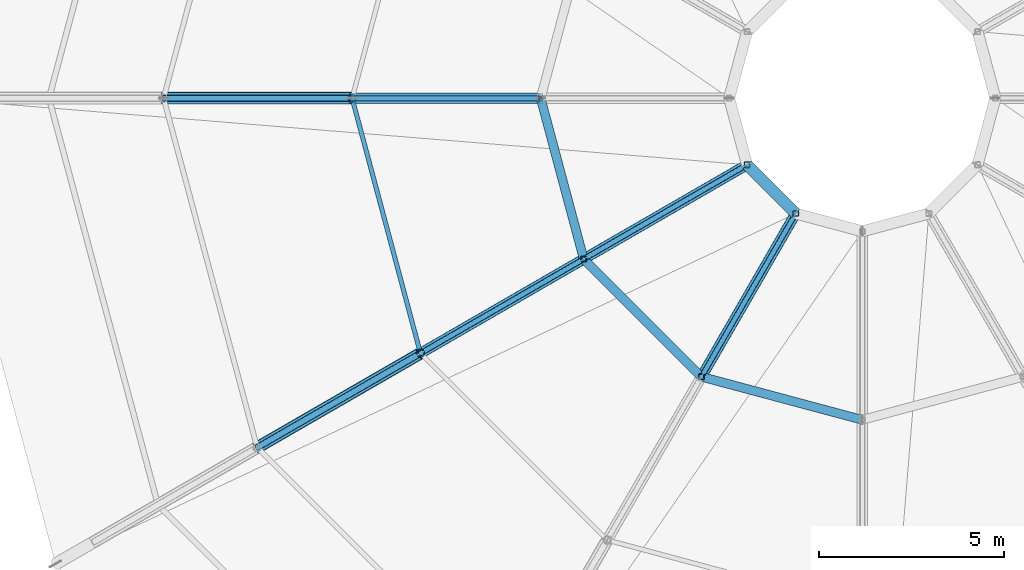
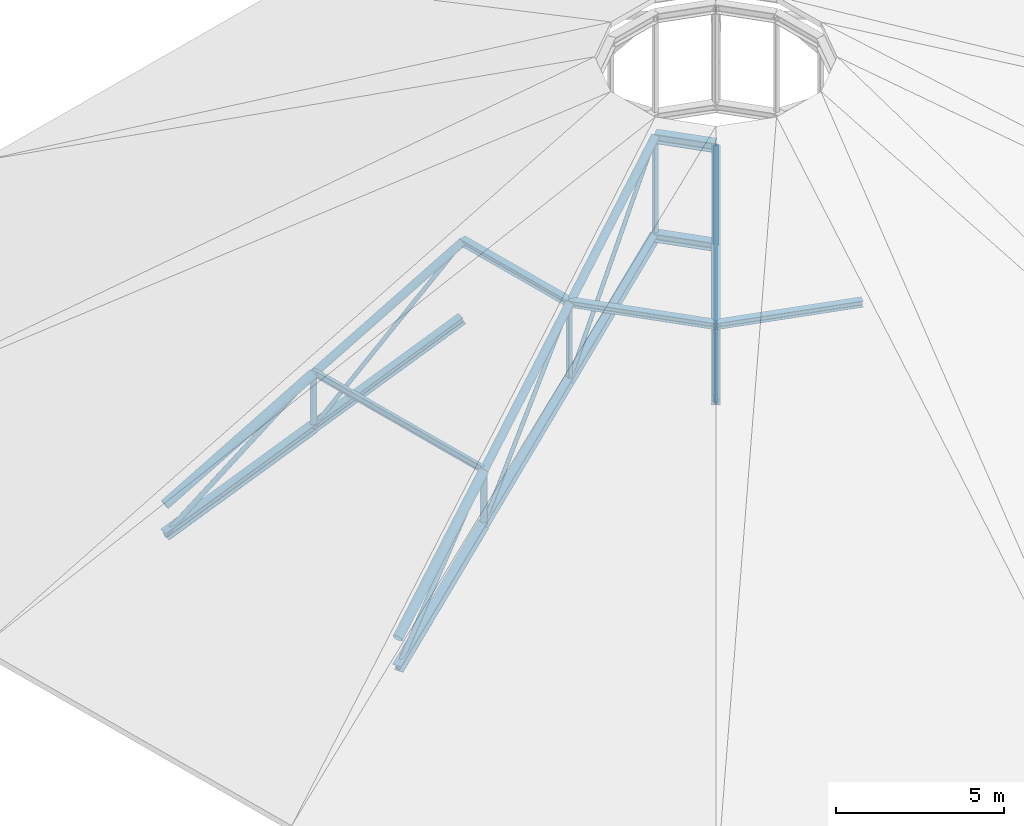
# One storey, part 17 of 58: 28 members, 2 beams.
"""IFC4 building model written with IfcOpenShell, lengths in metres."""

from ifc_helpers import new_model, si_unit, derived_unit, direction, frame, origin, origin_2d, place, context, subcontext, project, spatial, hollow_rectangle, hollow_circle, i_section, extrude, material, material_profile, profile_set, type_object, element, save


model = new_model("IFC4")

# Units and contexts
model_context = context("Model", 3, precision=1e-05, world=origin(), true_north=direction((0.0, 1.0)))
body_context = subcontext(model_context, "Body", "Model", "MODEL_VIEW")
ifc_project = project(units=[si_unit("LENGTHUNIT", "METRE"), si_unit("AREAUNIT", "SQUARE_METRE"), si_unit("VOLUMEUNIT", "CUBIC_METRE"), si_unit("PLANEANGLEUNIT", "RADIAN"), si_unit("MASSUNIT", "GRAM", prefix="KILO"), derived_unit("THERMALTRANSMITTANCEUNIT", [(si_unit("POWERUNIT", "WATT"), 1), (si_unit("AREAUNIT", "SQUARE_METRE"), -1), (si_unit("THERMODYNAMICTEMPERATUREUNIT", "KELVIN"), -1)])], contexts=[model_context])

# Site, building, storey
site_placement = place(None, origin())
site = spatial("IfcSite", under=ifc_project, at=site_placement, CompositionType="ELEMENT")
building_placement = place(site_placement, origin())
building = spatial("IfcBuilding", under=site, at=building_placement, Name="Yasenodar Specialist Clinic", CompositionType="ELEMENT")
storey_placement = place(building_placement, frame((0.0, 0.0, 21.300048828125)))
storey = spatial("IfcBuildingStorey", under=building, at=storey_placement, Name="L05", CompositionType="ELEMENT", Elevation=21.300048828125)

# Beams
ifc_material = material(Name="Steel S355", Category="steel")
ifc_material_profile_1 = material_profile(ifc_material, i_section(OverallWidth=0.300048828125, OverallDepth=0.300048828125, WebThickness=0.010986328125, FlangeThickness=0.01904296875, FilletRadius=0.027099609375, at=origin_2d()), Name="HEB 300")
ifc_profile_set_1 = profile_set([ifc_material_profile_1], Name="Steel S355")
beam_type_1 = type_object("IfcBeamType", Name="BM-HEB300", PredefinedType="BEAM", material=ifc_profile_set_1)
beam_1_placement = place(storey_placement, frame((77.88232421875, 57.0, 8.300048828125), z_axis=(0.707106781187, -0.707106781187, 0.0), x_axis=(0.707106781187, 0.707106781187, 0.0)))
element("IfcBeam", 1, at=beam_1_placement, inside=storey, type_object=beam_type_1, Name="Chhatri Tension Tie Ring Segment 08", PredefinedType="BEAM", context=body_context, shape_type="SweptSolid", body=[
    extrude(i_section(OverallWidth=0.300048828125, OverallDepth=0.300048828125, WebThickness=0.010986328125, FlangeThickness=0.01904296875, FilletRadius=0.027099609375, at=origin_2d()), origin(), (0.0, 0.0, 1.0), 1.863525390625),
])
ifc_material_profile_2 = material_profile(ifc_material, i_section(OverallWidth=0.300048828125, OverallDepth=0.340087890625, WebThickness=0.011962890625, FlangeThickness=0.021484375, FilletRadius=0.027099609375, at=origin_2d()), Name="HEB 340")
ifc_profile_set_2 = profile_set([ifc_material_profile_2], Name="Steel S355")
beam_type_2 = type_object("IfcBeamType", Name="BM-HEB340", PredefinedType="BEAM", material=ifc_profile_set_2)
beam_2_placement = place(storey_placement, frame((77.88232421875, 57.0, 11.89990234375), z_axis=(0.707106781187, -0.707106781187, 0.0), x_axis=(0.707106781187, 0.707106781187, 0.0)))
element("IfcBeam", 2, at=beam_2_placement, inside=storey, type_object=beam_type_2, Name="Chhatri Compression Ring Segment 08", PredefinedType="BEAM", context=body_context, shape_type="SweptSolid", body=[
    extrude(i_section(OverallWidth=0.300048828125, OverallDepth=0.340087890625, WebThickness=0.011962890625, FlangeThickness=0.021484375, FilletRadius=0.027099609375, at=origin_2d()), origin(), (0.0, 0.0, 1.0), 1.863525390625),
])

# Members
ifc_material_profile_3 = material_profile(ifc_material, i_section(OverallWidth=0.239990234375, OverallDepth=0.22998046875, WebThickness=0.007568359375, FlangeThickness=0.011962890625, FilletRadius=0.02099609375, at=origin_2d()), Name="HEA 240")
ifc_profile_set_3 = profile_set([ifc_material_profile_3], Name="Steel S355")
member_type_1 = type_object("IfcMemberType", Name="PR-HEA240", PredefinedType="PURLIN", material=ifc_profile_set_3)
for number, where, z_axis, x_axis, name in (
    (3, (72.300048828125, 58.800048828125, 8.98486328125), (0.258802924845, -0.965930145555, 0.0), (0.965930145555, 0.258802924845, 0.0), "Drum Roof Concentric Purlin 4.07"),
    (4, (73.465576171875, 54.449951171875, 8.98486328125), (0.707106781187, -0.707106781187, 0.0), (0.707106781187, 0.707106781187, 0.0), "Drum Roof Concentric Purlin 4.08"),
    (5, (76.64990234375, 51.265625, 8.98486328125), (0.965930145555, -0.258802924845, 0.0), (0.258802924845, 0.965930145555, 0.0), "Drum Roof Concentric Purlin 4.09"),
):
    element("IfcMember", number, at=place(storey_placement, frame(where, z_axis=z_axis, x_axis=x_axis)), inside=storey, type_object=member_type_1, Name=name, PredefinedType="PURLIN", context=body_context, shape_type="SweptSolid", body=[
        extrude(i_section(OverallWidth=0.239990234375, OverallDepth=0.22998046875, WebThickness=0.007568359375, FlangeThickness=0.011962890625, FilletRadius=0.02099609375, at=origin_2d()), origin(), (0.0, 0.0, 1.0), 4.50341796875),
    ])
ifc_material_profile_4 = material_profile(ifc_material, i_section(OverallWidth=0.1201171875, OverallDepth=0.239990234375, WebThickness=0.006103515625, FlangeThickness=0.009765625, FilletRadius=0.014892578125, at=origin_2d()), Name="IPE 240")
ifc_profile_set_4 = profile_set([ifc_material_profile_4], Name="Steel S355")
member_type_2 = type_object("IfcMemberType", Name="PR-IPE240", PredefinedType="PURLIN", material=ifc_profile_set_4)
member_1_placement = place(storey_placement, frame((67.199951171875, 58.800048828125, 6.010009765625), z_axis=(0.258817513709, -0.965926236623, 0.0), x_axis=(0.965926236623, 0.258817513709, 0.0)))
element("IfcMember", 6, at=member_1_placement, inside=storey, type_object=member_type_2, Name="Drum Roof Concentric Purlin 3.07", PredefinedType="PURLIN", context=body_context, shape_type="SweptSolid", body=[
    extrude(i_section(OverallWidth=0.1201171875, OverallDepth=0.239990234375, WebThickness=0.006103515625, FlangeThickness=0.009765625, FilletRadius=0.014892578125, at=origin_2d()), origin(), (0.0, 0.0, 1.0), 7.1435546875),
])
ifc_material_profile_5 = material_profile(ifc_material, hollow_circle(Radius=0.06982421875, WallThickness=0.00634765625, at=origin_2d()), Name="CHS 139.7x6.3")
ifc_profile_set_5 = profile_set([ifc_material_profile_5], Name="Steel S355")
member_type_3 = type_object("IfcMemberType", Name="TR-BRC-CHS139", PredefinedType="BRACE", material=ifc_profile_set_5)
member_2_placement = place(storey_placement, frame((67.199951171875, 58.800048828125, 4.02490234375), z_axis=(0.721100990621, 0.0, 0.692829965666), x_axis=(0.0, 1.0, 0.0)))
element("IfcMember", 7, at=member_2_placement, inside=storey, type_object=member_type_3, Name="Drum Roof Truss 07 Web Diagonal 3", PredefinedType="BRACE", context=body_context, shape_type="SweptSolid", body=[
    extrude(hollow_circle(Radius=0.06982421875, WallThickness=0.00634765625, at=origin_2d()), origin(), (0.0, 0.0, 1.0), 7.07275390625),
])
member_3_placement = place(storey_placement, frame((69.048828125, 51.89990234375, 4.02490234375), z_axis=(0.624486076732, 0.360552599163, 0.692834008407), x_axis=(-0.500005610874, 0.86602216432, 0.0)))
element("IfcMember", 8, at=member_3_placement, inside=storey, type_object=member_type_3, Name="Drum Roof Truss 08 Web Diagonal 3", PredefinedType="BRACE", context=body_context, shape_type="SweptSolid", body=[
    extrude(hollow_circle(Radius=0.06982421875, WallThickness=0.00634765625, at=origin_2d()), origin(), (0.0, 0.0, 1.0), 7.072509765625),
])
for number, where, z_axis, x_axis, name in (
    (9, (73.465576171875, 54.449951171875, 6.162353515625), (0.575353621933, 0.332185538726, 0.747409511306), (-0.500005610874, 0.86602216432, 0.0), "Drum Roof Truss 08 Web Diagonal 4"),
    (10, (76.64990234375, 51.265625, 6.162353515625), (0.332185538726, 0.575353621933, 0.747409511306), (-0.86602216432, 0.500005610874, 0.0), "Drum Roof Truss 09 Web Diagonal 4"),
):
    element("IfcMember", number, at=place(storey_placement, frame(where, z_axis=z_axis, x_axis=x_axis)), inside=storey, type_object=member_type_3, Name=name, PredefinedType="BRACE", context=body_context, shape_type="SweptSolid", body=[
        extrude(hollow_circle(Radius=0.06982421875, WallThickness=0.00634765625, at=origin_2d()), origin(), (0.0, 0.0, 1.0), 7.676513671875),
    ])
ifc_material_profile_6 = material_profile(ifc_material, hollow_circle(Radius=0.084228515625, WallThickness=0.008056640625, at=origin_2d()), Name="CHS 168.3x8")
ifc_profile_set_6 = profile_set([ifc_material_profile_6], Name="Steel S355")
member_type_4 = type_object("IfcMemberType", Name="TR-BRC-CHS168", PredefinedType="BRACE", material=ifc_profile_set_6)
for number, where, z_axis, x_axis, name in (
    (11, (62.10009765625, 58.800048828125, 1.887451171875), (0.782167611206, 0.0, 0.623068076522), (0.0, 1.0, 0.0), "Drum Roof Truss 07 Web Diagonal 2"),
    (12, (64.632080078125, 49.35009765625, 1.887451171875), (0.677394044093, 0.391062041706, 0.623063229988), (-0.499969707105, 0.866042892689, 0.0), "Drum Roof Truss 08 Web Diagonal 2"),
):
    element("IfcMember", number, at=place(storey_placement, frame(where, z_axis=z_axis, x_axis=x_axis)), inside=storey, type_object=member_type_4, Name=name, PredefinedType="BRACE", context=body_context, shape_type="SweptSolid", body=[
        extrude(hollow_circle(Radius=0.084228515625, WallThickness=0.008056640625, at=origin_2d()), origin(), (0.0, 0.0, 1.0), 6.520263671875),
    ])
ifc_material_profile_7 = material_profile(ifc_material, hollow_circle(Radius=0.136474609375, WallThickness=0.012451171875, at=origin_2d()), Name="CHS 273x12.5")
ifc_profile_set_7 = profile_set([ifc_material_profile_7], Name="Steel S355")
member_type_5 = type_object("IfcMemberType", Name="TR-CHD-CHS273", PredefinedType="CHORD", material=ifc_profile_set_7)
member_4_placement = place(storey_placement, frame((67.199951171875, 58.800048828125, 5.949951171875), z_axis=(0.86377590149, 0.0, 0.503876167332), x_axis=(0.0, 1.0, 0.0)))
element("IfcMember", 13, at=member_4_placement, inside=storey, type_object=member_type_5, Name="Drum Roof Truss 07 Top Chord 3", PredefinedType="CHORD", context=body_context, shape_type="SweptSolid", body=[
    extrude(hollow_circle(Radius=0.136474609375, WallThickness=0.012451171875, at=origin_2d()), origin(), (0.0, 0.0, 1.0), 5.904541015625),
])
for number, where, z_axis, x_axis, name in (
    (14, (69.048828125, 51.89990234375, 5.949951171875), (0.748046944425, 0.431891566774, 0.50388038609), (-0.500005610874, 0.86602216432, 0.0), "Drum Roof Truss 08 Top Chord 3"),
    (15, (73.465576171875, 54.449951171875, 8.925048828125), (0.748062529838, 0.431900565152, 0.503849534359), (-0.500005610874, 0.86602216432, 0.0), "Drum Roof Truss 08 Top Chord 4"),
    (16, (76.64990234375, 51.265625, 8.925048828125), (0.431900565152, 0.748062529838, 0.503849534359), (-0.86602216432, 0.500005610874, 0.0), "Drum Roof Truss 09 Top Chord 4"),
):
    element("IfcMember", number, at=place(storey_placement, frame(where, z_axis=z_axis, x_axis=x_axis)), inside=storey, type_object=member_type_5, Name=name, PredefinedType="CHORD", context=body_context, shape_type="SweptSolid", body=[
        extrude(hollow_circle(Radius=0.136474609375, WallThickness=0.012451171875, at=origin_2d()), origin(), (0.0, 0.0, 1.0), 5.904296875),
    ])
ifc_material_profile_8 = material_profile(ifc_material, hollow_circle(Radius=0.161865234375, WallThickness=0.01611328125, at=origin_2d()), Name="CHS 323.9x16")
ifc_profile_set_8 = profile_set([ifc_material_profile_8], Name="Steel S355")
member_type_6 = type_object("IfcMemberType", Name="TR-CHD-CHS324", PredefinedType="CHORD", material=ifc_profile_set_8)
for number, where, z_axis, x_axis, name in (
    (17, (62.10009765625, 58.800048828125, 2.974853515625), (0.863765402838, 0.0, 0.503894164344), (0.0, 1.0, 0.0), "Drum Roof Truss 07 Top Chord 2"),
    (18, (64.632080078125, 49.35009765625, 2.974853515625), (0.748060303017, 0.431857929617, 0.503889384366), (-0.499969707105, 0.866042892689, 0.0), "Drum Roof Truss 08 Top Chord 2"),
):
    element("IfcMember", number, at=place(storey_placement, frame(where, z_axis=z_axis, x_axis=x_axis)), inside=storey, type_object=member_type_6, Name=name, PredefinedType="CHORD", context=body_context, shape_type="SweptSolid", body=[
        extrude(hollow_circle(Radius=0.161865234375, WallThickness=0.01611328125, at=origin_2d()), origin(), (0.0, 0.0, 1.0), 5.904296875),
    ])
ifc_material_profile_9 = material_profile(ifc_material, i_section(OverallWidth=0.280029296875, OverallDepth=0.27001953125, WebThickness=0.008056640625, FlangeThickness=0.012939453125, FilletRadius=0.02392578125, at=origin_2d()), Name="HEA 280")
ifc_profile_set_9 = profile_set([ifc_material_profile_9], Name="Steel S355")
member_type_7 = type_object("IfcMemberType", Name="TR-CHD-HEA280", PredefinedType="CHORD", material=ifc_profile_set_9)
for number, where, z_axis, x_axis, name in (
    (19, (67.199951171875, 58.800048828125, 4.02490234375), (0.92227816564, 0.0, 0.386526823369), (0.0, 1.0, 0.0), "Drum Roof Truss 07 Bottom Chord 3"),
    (20, (69.048828125, 51.89990234375, 4.02490234375), (0.798711994016, 0.461143484467, 0.38653051283), (-0.500005610874, 0.86602216432, 0.0), "Drum Roof Truss 08 Bottom Chord 3"),
):
    element("IfcMember", number, at=place(storey_placement, frame(where, z_axis=z_axis, x_axis=x_axis)), inside=storey, type_object=member_type_7, Name=name, PredefinedType="CHORD", context=body_context, shape_type="SweptSolid", body=[
        extrude(i_section(OverallWidth=0.280029296875, OverallDepth=0.27001953125, WebThickness=0.008056640625, FlangeThickness=0.012939453125, FilletRadius=0.02392578125, at=origin_2d()), origin(), (0.0, 0.0, 1.0), 5.52978515625),
    ])
for number, where, z_axis, x_axis, name in (
    (21, (73.465576171875, 54.449951171875, 6.162353515625), (0.798698363405, 0.461135614713, 0.386568065335), (-0.500005610874, 0.86602216432, 0.0), "Drum Roof Truss 08 Bottom Chord 4"),
    (22, (76.64990234375, 51.265625, 6.162353515625), (0.461135614713, 0.798698363405, 0.386568065335), (-0.86602216432, 0.500005610874, 0.0), "Drum Roof Truss 09 Bottom Chord 4"),
):
    element("IfcMember", number, at=place(storey_placement, frame(where, z_axis=z_axis, x_axis=x_axis)), inside=storey, type_object=member_type_7, Name=name, PredefinedType="CHORD", context=body_context, shape_type="SweptSolid", body=[
        extrude(i_section(OverallWidth=0.280029296875, OverallDepth=0.27001953125, WebThickness=0.008056640625, FlangeThickness=0.012939453125, FilletRadius=0.02392578125, at=origin_2d()), origin(), (0.0, 0.0, 1.0), 5.530029296875),
    ])
ifc_material_profile_10 = material_profile(ifc_material, i_section(OverallWidth=0.300048828125, OverallDepth=0.300048828125, WebThickness=0.010986328125, FlangeThickness=0.01904296875, FilletRadius=0.027099609375, at=origin_2d()), Name="HEB 300")
ifc_profile_set_10 = profile_set([ifc_material_profile_10], Name="Steel S355")
member_type_8 = type_object("IfcMemberType", Name="TR-CHD-HEB300", PredefinedType="CHORD", material=ifc_profile_set_10)
for number, where, z_axis, x_axis, name in (
    (23, (62.10009765625, 58.800048828125, 1.887451171875), (0.922271569205, 0.0, 0.386542562516), (0.0, 1.0, 0.0), "Drum Roof Truss 07 Bottom Chord 2"),
    (24, (64.632080078125, 49.35009765625, 1.887451171875), (0.798728254984, 0.461108722296, 0.3865383822), (-0.499969707105, 0.866042892689, 0.0), "Drum Roof Truss 08 Bottom Chord 2"),
):
    element("IfcMember", number, at=place(storey_placement, frame(where, z_axis=z_axis, x_axis=x_axis)), inside=storey, type_object=member_type_8, Name=name, PredefinedType="CHORD", context=body_context, shape_type="SweptSolid", body=[
        extrude(i_section(OverallWidth=0.300048828125, OverallDepth=0.300048828125, WebThickness=0.010986328125, FlangeThickness=0.01904296875, FilletRadius=0.027099609375, at=origin_2d()), origin(), (0.0, 0.0, 1.0), 5.52978515625),
    ])
ifc_material_profile_11 = material_profile(ifc_material, hollow_circle(Radius=0.109619140625, WallThickness=0.010009765625, at=origin_2d()), Name="CHS 219.1x10")
ifc_profile_set_11 = profile_set([ifc_material_profile_11], Name="Steel S355")
member_type_9 = type_object("IfcMemberType", Name="TR-STR-CHS219", PredefinedType="STRUT", material=ifc_profile_set_11)
for number, where, z_axis, x_axis, name in (
    (25, (67.199951171875, 58.800048828125, 4.02490234375), (0.0, 0.0, 1.0), (1.0, 0.0, 0.0), "Drum Roof Truss 07 Strut 2"),
    (26, (69.048828125, 51.89990234375, 4.02490234375), (0.0, 0.0, 1.0), (1.0, 0.0, 0.0), "Drum Roof Truss 08 Strut 2"),
):
    element("IfcMember", number, at=place(storey_placement, frame(where, z_axis=z_axis, x_axis=x_axis)), inside=storey, type_object=member_type_9, Name=name, PredefinedType="STRUT", context=body_context, shape_type="SweptSolid", body=[
        extrude(hollow_circle(Radius=0.109619140625, WallThickness=0.010009765625, at=origin_2d()), origin(), (0.0, 0.0, 1.0), 1.925048828125),
    ])
ifc_material_profile_12 = material_profile(ifc_material, hollow_rectangle(XDim=0.14990234375, YDim=0.14990234375, WallThickness=0.008056640625, InnerFilletRadius=0.011962890625, OuterFilletRadius=0.02001953125, at=origin_2d()), Name="SHS 150x150x8")
ifc_profile_set_12 = profile_set([ifc_material_profile_12], Name="Steel S355")
member_type_10 = type_object("IfcMemberType", Name="TR-STR-SHS150", PredefinedType="STRUT", material=ifc_profile_set_12)
member_5_placement = place(storey_placement, frame((73.465576171875, 54.449951171875, 6.162353515625), z_axis=(0.0, 0.0, 1.0), x_axis=(1.0, 0.0, 0.0)))
element("IfcMember", 27, at=member_5_placement, inside=storey, type_object=member_type_10, Name="Drum Roof Truss 08 Strut 3", PredefinedType="STRUT", context=body_context, shape_type="SweptSolid", body=[
    extrude(hollow_rectangle(XDim=0.14990234375, YDim=0.14990234375, WallThickness=0.008056640625, InnerFilletRadius=0.011962890625, OuterFilletRadius=0.02001953125, at=origin_2d()), origin(), (0.0, 0.0, 1.0), 2.7626953125),
])
member_6_placement = place(storey_placement, frame((77.88232421875, 57.0, 8.300048828125), z_axis=(0.0, 0.0, 1.0), x_axis=(1.0, 0.0, 0.0)))
element("IfcMember", 28, at=member_6_placement, inside=storey, type_object=member_type_10, Name="Drum Roof Truss 08 Strut 4", PredefinedType="STRUT", context=body_context, shape_type="SweptSolid", body=[
    extrude(hollow_rectangle(XDim=0.14990234375, YDim=0.14990234375, WallThickness=0.008056640625, InnerFilletRadius=0.011962890625, OuterFilletRadius=0.02001953125, at=origin_2d()), origin(), (0.0, 0.0, 1.0), 3.599853515625),
])
member_7_placement = place(storey_placement, frame((76.64990234375, 51.265625, 6.162353515625), z_axis=(0.0, 0.0, 1.0), x_axis=(1.0, 0.0, 0.0)))
element("IfcMember", 29, at=member_7_placement, inside=storey, type_object=member_type_10, Name="Drum Roof Truss 09 Strut 3", PredefinedType="STRUT", context=body_context, shape_type="SweptSolid", body=[
    extrude(hollow_rectangle(XDim=0.14990234375, YDim=0.14990234375, WallThickness=0.008056640625, InnerFilletRadius=0.011962890625, OuterFilletRadius=0.02001953125, at=origin_2d()), origin(), (0.0, 0.0, 1.0), 2.7626953125),
])
member_8_placement = place(storey_placement, frame((79.199951171875, 55.682373046875, 8.300048828125), z_axis=(0.0, 0.0, 1.0), x_axis=(1.0, 0.0, 0.0)))
element("IfcMember", 30, at=member_8_placement, inside=storey, type_object=member_type_10, Name="Drum Roof Truss 09 Strut 4", PredefinedType="STRUT", context=body_context, shape_type="SweptSolid", body=[
    extrude(hollow_rectangle(XDim=0.14990234375, YDim=0.14990234375, WallThickness=0.008056640625, InnerFilletRadius=0.011962890625, OuterFilletRadius=0.02001953125, at=origin_2d()), origin(), (0.0, 0.0, 1.0), 3.599853515625),
])

save(model, "model.ifc")
